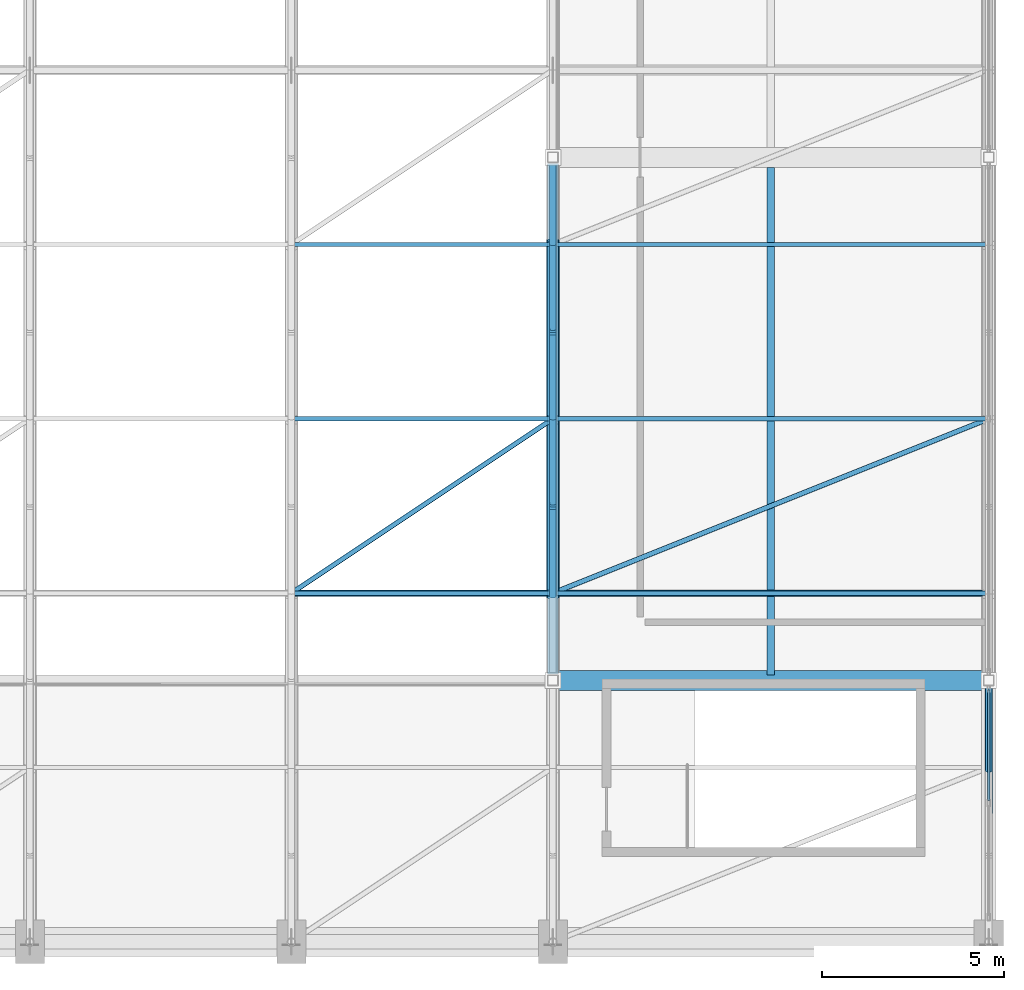
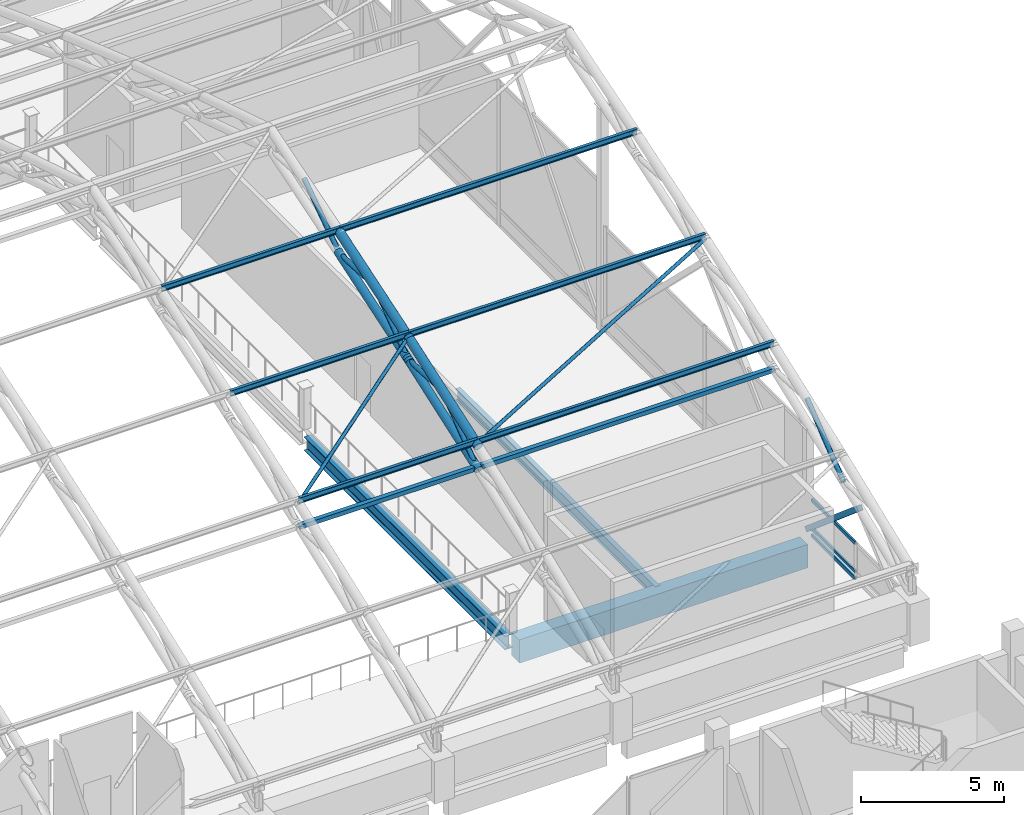
# One storey, part 41 of 116: 24 members, 3 beams, 1 element without a shape of its own.
"""IFC4 building model written with IfcOpenShell, lengths in metres."""

import ifcopenshell
import ifcopenshell.guid

model = None  # the IFC model being written
_history = None  # IfcOwnerHistory: only IFC2X3 demands one
_inside = {}  # id of a spatial element -> (the spatial element, [elements in it])
_under = {}  # id of a project, library or spatial element -> (it, [spatial elements below it])
_declared = {}  # id of a project -> (the project, [libraries it declares])
_typed = {}  # id of a type object -> (the type object, [elements of that type])
_made_of = {}  # id of a material, layer set ... -> (it, [elements and type objects made of it])


def new_model(schema):
    """Start an empty IFC model of exactly this schema.

    Asked for "IFC4X3", IfcOpenShell would pick the latest addendum, in which some entities
    have other attributes; the version numbers below select the first issue.
    IFC2X3 requires an IfcOwnerHistory on every rooted entity: one is made here for all.
    """
    global model, _history
    if schema == "IFC4X3":
        model = ifcopenshell.file(schema_version=(4, 3, 0, 0))
    else:
        model = ifcopenshell.file(schema=schema)
    _inside.clear()
    _under.clear()
    _declared.clear()
    _typed.clear()
    _made_of.clear()
    _history = None
    if model.schema == "IFC2X3":
        org = make("IfcOrganization", Name="unknown")
        user = make(
            "IfcPersonAndOrganization",
            ThePerson=make("IfcPerson", FamilyName="unknown"),
            TheOrganization=org,
        )
        app = make(
            "IfcApplication",
            ApplicationDeveloper=org,
            Version="unknown",
            ApplicationFullName="unknown",
            ApplicationIdentifier="unknown",
        )
        _history = make(
            "IfcOwnerHistory",
            OwningUser=user,
            OwningApplication=app,
            ChangeAction="ADDED",
            CreationDate=0,
        )
    return model


def make(cls, **values):
    """One entity of the class cls with the attributes given. An attribute that is None is left unset."""
    return model.create_entity(
        cls, **{name: value for name, value in values.items() if value is not None}
    )


def rooted(cls, **values):
    """An entity with a GlobalId (a new one), such as an element, a storey or a relation."""
    return make(cls, GlobalId=ifcopenshell.guid.new(), OwnerHistory=_history, **values)


def si_unit(unit_type, name, prefix=None):
    """IfcSIUnit, for example si_unit("LENGTHUNIT", "METRE", prefix="MILLI")."""
    return make("IfcSIUnit", UnitType=unit_type, Prefix=prefix, Name=name)


def assignment(units):
    """IfcUnitAssignment: the units of a project."""
    return None if units is None else make("IfcUnitAssignment", Units=units)


def point(xyz):
    """IfcCartesianPoint."""
    return None if xyz is None else make("IfcCartesianPoint", Coordinates=xyz)


def direction(xyz):
    """IfcDirection."""
    return None if xyz is None else make("IfcDirection", DirectionRatios=xyz)


def frame(location, z_axis=None, x_axis=None):
    """IfcAxis2Placement3D, a coordinate frame: its origin and axes. An axis left out is left unset."""
    return make(
        "IfcAxis2Placement3D",
        Location=point(location),
        Axis=direction(z_axis),
        RefDirection=direction(x_axis),
    )


def frame_2d(location, x_axis=None):
    """IfcAxis2Placement2D, a coordinate frame in the plane: its origin and x axis."""
    return make(
        "IfcAxis2Placement2D", Location=point(location), RefDirection=direction(x_axis)
    )


def origin():
    """The frame at (0, 0, 0) with its axes left unset."""
    return frame((0.0, 0.0, 0.0))


def origin_2d():
    """The frame at (0, 0) in the plane with its x axis left unset."""
    return frame_2d((0.0, 0.0))


def place(relative_to, where):
    """IfcLocalPlacement: puts the frame where relative to a parent placement (None: the world)."""
    return make(
        "IfcLocalPlacement", PlacementRelTo=relative_to, RelativePlacement=where
    )


def context(
    kind, dimensions, precision=None, world=None, true_north=None, identifier=None
):
    """IfcGeometricRepresentationContext, for example the 3D "Model" context."""
    return make(
        "IfcGeometricRepresentationContext",
        ContextIdentifier=identifier,
        ContextType=kind,
        CoordinateSpaceDimension=dimensions,
        Precision=precision,
        WorldCoordinateSystem=world,
        TrueNorth=true_north,
    )


def subcontext(parent, identifier, kind, view, scale=None):
    """IfcGeometricRepresentationSubContext, for example "Body" below "Model"."""
    return make(
        "IfcGeometricRepresentationSubContext",
        ContextIdentifier=identifier,
        ContextType=kind,
        ParentContext=parent,
        TargetScale=scale,
        TargetView=view,
    )


def project(units=None, contexts=None):
    """IfcProject with its units and contexts."""
    return rooted(
        "IfcProject",
        Name="project",
        RepresentationContexts=contexts,
        UnitsInContext=assignment(units),
    )


def spatial(cls, under=None, at=None, **own):
    """A site, building, storey or space (cls), placed at a placement, below another one or the project."""
    s = rooted(cls, ObjectPlacement=at, **own)
    if under is not None:
        _under.setdefault(under.id(), (under, []))[1].append(s)
    return s


def profile(cls, at=None, kind="AREA", **sizes):
    """A parametric profile (cls). Its sizes go by their IFC names, for example OverallWidth=200.0."""
    return make(cls, ProfileType=kind, Position=at, **sizes)


def rectangle(**sizes):
    """IfcRectangleProfileDef."""
    return profile("IfcRectangleProfileDef", **sizes)


def hollow_rectangle(**sizes):
    """IfcRectangleHollowProfileDef."""
    return profile("IfcRectangleHollowProfileDef", **sizes)


def hollow_circle(**sizes):
    """IfcCircleHollowProfileDef."""
    return profile("IfcCircleHollowProfileDef", **sizes)


def i_section(**sizes):
    """IfcIShapeProfileDef."""
    return profile("IfcIShapeProfileDef", **sizes)


def extrude(swept, where, along, depth):
    """IfcExtrudedAreaSolid: the profile swept, set in the frame where, extruded along a direction by depth."""
    return make(
        "IfcExtrudedAreaSolid",
        SweptArea=swept,
        Position=where,
        ExtrudedDirection=direction(along),
        Depth=depth,
    )


def shape(context_of_items, identifier, shape_type, items):
    """IfcShapeRepresentation: the items that make up one representation, for example the "Body"."""
    return make(
        "IfcShapeRepresentation",
        ContextOfItems=context_of_items,
        RepresentationIdentifier=identifier,
        RepresentationType=shape_type,
        Items=items,
    )


def material(Name=None, Category=None):
    """IfcMaterial."""
    return make("IfcMaterial", Name=Name, Category=Category)


def material_profile(
    of_material, cross_section, Name=None, Category=None, Priority=None
):
    """IfcMaterialProfile: a cross section and its material."""
    return make(
        "IfcMaterialProfile",
        Name=Name,
        Material=of_material,
        Profile=cross_section,
        Priority=Priority,
        Category=Category,
    )


def profile_set(profiles, Name=None, composite=None):
    """IfcMaterialProfileSet."""
    return make(
        "IfcMaterialProfileSet",
        Name=Name,
        MaterialProfiles=profiles,
        CompositeProfile=composite,
    )


def made_of(thing, what):
    """Note that an element or type object is made of a material, layer set ...; save() writes the relation."""
    if what is not None:
        _made_of.setdefault(what.id(), (what, []))[1].append(thing)
    return thing


def type_object(cls, material=None, **own):
    """A type object (cls), such as IfcWallType, which elements share."""
    return made_of(rooted(cls, **own), material)


def element(
    cls,
    number,
    at=None,
    inside=None,
    cuts=None,
    type_object=None,
    material=None,
    context=None,
    identifier="Body",
    shape_type=None,
    held_by="IfcProductDefinitionShape",
    body=None,
    shapes=None,
    **own,
):
    """One element of the class cls, such as IfcWall. Its Tag is "e" and its number.

    at: its placement. inside: the storey or other place that contains it. cuts: it is an
    opening in that element (IfcRelVoidsElement). A single representation is given by context,
    identifier, shape_type and body (its items); several are given by shapes. held_by: the class
    of the entity that holds the representations. save() writes the other relations.
    """
    e = rooted(cls, Tag="e%d" % number, ObjectPlacement=at, **own)
    if body is not None:
        shapes = [shape(context, identifier, shape_type, body)]
    if shapes is not None:
        e.Representation = make(held_by, Representations=shapes)
    if inside is not None:
        _inside.setdefault(inside.id(), (inside, []))[1].append(e)
    if cuts is not None:
        rooted(
            "IfcRelVoidsElement", RelatingBuildingElement=cuts, RelatedOpeningElement=e
        )
    if type_object is not None:
        _typed.setdefault(type_object.id(), (type_object, []))[1].append(e)
    return made_of(e, material)


def aggregate(whole, parts):
    """IfcRelAggregates: a whole, such as a stair, and the parts it consists of."""
    return rooted("IfcRelAggregates", RelatingObject=whole, RelatedObjects=parts)


def save(model, path):
    """Write the relations noted so far, then the file.

    IfcRelAggregates (storeys below a building ...), IfcRelContainedInSpatialStructure (elements
    in a storey), IfcRelDefinesByType, IfcRelAssociatesMaterial and IfcRelDeclares: one each for
    every whole, place, type object, material and project.
    """
    for whole, parts in _under.values():
        aggregate(whole, parts)
    for where, things in _inside.values():
        rooted(
            "IfcRelContainedInSpatialStructure",
            RelatedElements=things,
            RelatingStructure=where,
        )
    for kind, things in _typed.values():
        rooted("IfcRelDefinesByType", RelatedObjects=things, RelatingType=kind)
    for what, things in _made_of.values():
        rooted("IfcRelAssociatesMaterial", RelatedObjects=things, RelatingMaterial=what)
    for by, libraries in _declared.values():
        rooted("IfcRelDeclares", RelatingContext=by, RelatedDefinitions=libraries)
    model.write(path)


model = new_model("IFC4")

# Units and contexts
model_context = context("Model", 3, precision=1e-05, world=origin(), true_north=direction((0.0, 1.0)))
body_context = subcontext(model_context, "Body", "Model", "MODEL_VIEW")
ifc_project = project(units=[si_unit("LENGTHUNIT", "METRE"), si_unit("AREAUNIT", "SQUARE_METRE"), si_unit("VOLUMEUNIT", "CUBIC_METRE"), si_unit("PLANEANGLEUNIT", "RADIAN"), si_unit("MASSUNIT", "GRAM", prefix="KILO")], contexts=[model_context])

# Site, building, storey
site_placement = place(None, origin())
site = spatial("IfcSite", under=ifc_project, at=site_placement, CompositionType="ELEMENT")
building_placement = place(site_placement, origin())
building = spatial("IfcBuilding", under=site, at=building_placement, Name="Cendralis Lancet Convention Centre", CompositionType="ELEMENT")
storey_placement = place(building_placement, frame((0.0, 0.0, 15.0)))
storey = spatial("IfcBuildingStorey", under=building, at=storey_placement, Name="L03", CompositionType="ELEMENT", Elevation=15.0)

# Curtain wall, members
ifc_material_1 = material(Name="Anodised bronze architectural aluminium", Category="aluminium")
curtain_wall_type = type_object("IfcCurtainWallType", Name="ARC-CW-PL02", PredefinedType="USERDEFINED", material=ifc_material_1)
curtain_wall_placement = place(storey_placement, origin())
curtain_wall = element("IfcCurtainWall", 1, at=curtain_wall_placement, inside=storey, type_object=curtain_wall_type, Name="L03 Curtain Wall CW-PL2 #141", ObjectType="CURTAIN WALL", PredefinedType="USERDEFINED")
ifc_material_profile_1 = material_profile(ifc_material_1, hollow_rectangle(XDim=0.070068359375, YDim=0.139892578125, WallThickness=0.00390625, at=origin_2d()), Name="AL-TRAN 70x140x4.0")
ifc_profile_set_1 = profile_set([ifc_material_profile_1], Name="Anodised bronze architectural aluminium")
member_type_1 = type_object("IfcMemberType", Name="ARC-CW-TR02", PredefinedType="USERDEFINED", material=ifc_profile_set_1)
member_1_placement = place(storey_placement, frame((208.800048828125, 50.1298828125, 0.070068359375), z_axis=(0.0, -1.0, 0.0), x_axis=(1.0, 0.0, 0.0)))
member_1 = element("IfcMember", 2, at=member_1_placement, type_object=member_type_1, Name="Transom CW2-CW-PL2-L03-141-T0BOT", ObjectType="TRANSOM", PredefinedType="USERDEFINED", context=body_context, shape_type="SweptSolid", body=[
    extrude(hollow_rectangle(XDim=0.070068359375, YDim=0.139892578125, WallThickness=0.00390625, at=origin_2d()), origin(), (0.0, 0.0, 1.0), 3.034912109375),
])
member_2_placement = place(storey_placement, frame((208.800048828125, 50.1298828125, 0.363037109375), z_axis=(0.0, -1.0, 0.0), x_axis=(1.0, 0.0, 0.0)))
member_2 = element("IfcMember", 3, at=member_2_placement, type_object=member_type_1, Name="Transom CW2-CW-PL2-L03-141-T0MID", ObjectType="TRANSOM", PredefinedType="USERDEFINED", context=body_context, shape_type="SweptSolid", body=[
    extrude(hollow_rectangle(XDim=0.070068359375, YDim=0.139892578125, WallThickness=0.00390625, at=origin_2d()), origin(), (0.0, 0.0, 1.0), 3.034912109375),
])
member_3_placement = place(storey_placement, frame((208.800048828125, 50.1298828125, 1.580078125), z_axis=(0.0, -1.0, 0.0), x_axis=(1.0, 0.0, 0.0)))
member_3 = element("IfcMember", 4, at=member_3_placement, type_object=member_type_1, Name="Transom CW2-CW-PL2-L03-141-T0TOP", ObjectType="TRANSOM", PredefinedType="USERDEFINED", context=body_context, shape_type="SweptSolid", body=[
    extrude(hollow_rectangle(XDim=0.070068359375, YDim=0.139892578125, WallThickness=0.00390625, at=origin_2d()), origin(), (0.0, 0.0, 1.0), 3.034912109375),
])
aggregate(curtain_wall, [member_1, member_2, member_3])

# Beams
ifc_material_2 = material(Name="Concrete G40 (C40/50)", Category="concrete")
ifc_material_profile_2 = material_profile(ifc_material_2, rectangle(XDim=0.550048828125, YDim=1.0, at=origin_2d()), Name="RCB 550x1000")
ifc_profile_set_2 = profile_set([ifc_material_profile_2], Name="Concrete G40 (C40/50)")
beam_type_1 = type_object("IfcBeamType", Name="STR-BM-BG05", PredefinedType="BEAM", material=ifc_profile_set_2)
beam_1_placement = place(storey_placement, frame((196.97509765625, 50.39990234375, -0.760009765625), z_axis=(1.0, 0.0, 0.0), x_axis=(0.0, 1.0, 0.0)))
element("IfcBeam", 5, at=beam_1_placement, inside=storey, type_object=beam_type_1, Name="L03 Beam BG05 #1524", PredefinedType="BEAM", context=body_context, shape_type="SweptSolid", body=[
    extrude(rectangle(XDim=0.550048828125, YDim=1.0, at=origin_2d()), origin(), (0.0, 0.0, 1.0), 11.64990234375),
])
ifc_material_3 = material(Name="Steel S355", Category="steel")
ifc_material_profile_3 = material_profile(ifc_material_3, i_section(OverallWidth=0.300048828125, OverallDepth=0.590087890625, WebThickness=0.012939453125, FlangeThickness=0.02490234375, FilletRadius=0.027099609375, at=origin_2d()), Name="HEA 600")
ifc_profile_set_3 = profile_set([ifc_material_profile_3], Name="Steel S355")
beam_type_2 = type_object("IfcBeamType", Name="STR-BM-SG10", PredefinedType="BEAM", material=ifc_profile_set_3)
beam_2_placement = place(storey_placement, frame((196.800048828125, 50.574951171875, -0.554931640625), z_axis=(0.0, 1.0, 0.0), x_axis=(-1.0, 0.0, 0.0)))
element("IfcBeam", 6, at=beam_2_placement, inside=storey, type_object=beam_type_2, Name="L03 Beam SG10 #1543", PredefinedType="BEAM", context=body_context, shape_type="SweptSolid", body=[
    extrude(i_section(OverallWidth=0.300048828125, OverallDepth=0.590087890625, WebThickness=0.012939453125, FlangeThickness=0.02490234375, FilletRadius=0.027099609375, at=origin_2d()), origin(), (0.0, 0.0, 1.0), 14.050048828125),
])

# Members
ifc_material_profile_4 = material_profile(ifc_material_3, hollow_rectangle(XDim=0.219970703125, YDim=0.219970703125, WallThickness=0.012451171875, at=origin_2d()), Name="SHS 220x220x12.5")
ifc_profile_set_4 = profile_set([ifc_material_profile_4], Name="Steel S355")
member_type_2 = type_object("IfcMemberType", Name="STR-BR-GB02", PredefinedType="BRACE", material=ifc_profile_set_4)
member_4_placement = place(storey_placement, frame((208.800048828125, 50.39990234375, 0.199951171875), z_axis=(0.0, -0.762583352591, 0.646889967732), x_axis=(1.0, 0.0, 0.0)))
element("IfcMember", 7, at=member_4_placement, inside=storey, type_object=member_type_2, Name="Plenary Gable Gothic Ogival Tracery Rib GBR2 #072", PredefinedType="BRACE", context=body_context, shape_type="SweptSolid", body=[
    extrude(hollow_rectangle(XDim=0.219970703125, YDim=0.219970703125, WallThickness=0.012451171875, at=origin_2d()), origin(), (0.0, 0.0, 1.0), 4.720703125),
])
ifc_material_profile_5 = material_profile(ifc_material_3, hollow_circle(Radius=0.06982421875, WallThickness=0.00634765625, at=origin_2d()), Name="CHS 139.7x6.3")
ifc_profile_set_5 = profile_set([ifc_material_profile_5], Name="Steel S355")
member_type_3 = type_object("IfcMemberType", Name="STR-BR-RB02", PredefinedType="BRACE", material=ifc_profile_set_5)
member_5_placement = place(storey_placement, frame((189.60009765625, 52.800048828125, 6.538818359375), z_axis=(0.817079386858, 0.544728826592, 0.188816792291), x_axis=(-0.554706707029, 0.832045953765, 0.0)))
element("IfcMember", 8, at=member_5_placement, inside=storey, type_object=member_type_3, Name="Roof Diaphragm Brace RB02 V2-07-02A", PredefinedType="BRACE", context=body_context, shape_type="SweptSolid", body=[
    extrude(hollow_circle(Radius=0.06982421875, WallThickness=0.00634765625, at=origin_2d()), origin(), (0.0, 0.0, 1.0), 8.811767578125),
])
member_6_placement = place(storey_placement, frame((196.800048828125, 52.800048828125, 6.538818359375), z_axis=(0.920876097316, 0.368354185981, 0.127680879785), x_axis=(-0.371393933228, 0.928475388129, 0.0)))
element("IfcMember", 9, at=member_6_placement, inside=storey, type_object=member_type_3, Name="Roof Diaphragm Brace RB02 V2-08-02A", PredefinedType="BRACE", context=body_context, shape_type="SweptSolid", body=[
    extrude(hollow_circle(Radius=0.06982421875, WallThickness=0.00634765625, at=origin_2d()), origin(), (0.0, 0.0, 1.0), 13.031005859375),
])
ifc_material_profile_6 = material_profile(ifc_material_3, hollow_rectangle(XDim=0.179931640625, YDim=0.179931640625, WallThickness=0.010009765625, at=origin_2d()), Name="SHS 180x180x10.0")
ifc_profile_set_6 = profile_set([ifc_material_profile_6], Name="Steel S355")
member_type_4 = type_object("IfcMemberType", Name="STR-BR-ST02", PredefinedType="STRUT", material=ifc_profile_set_6)
member_7_placement = place(storey_placement, frame((189.60009765625, 52.800048828125, 5.555908203125), z_axis=(1.0, 0.0, 0.0), x_axis=(0.0, 1.0, 0.0)))
element("IfcMember", 10, at=member_7_placement, inside=storey, type_object=member_type_4, Name="Arch Tie Strut ST02 V2-07-02", PredefinedType="STRUT", context=body_context, shape_type="SweptSolid", body=[
    extrude(hollow_rectangle(XDim=0.179931640625, YDim=0.179931640625, WallThickness=0.010009765625, at=origin_2d()), origin(), (0.0, 0.0, 1.0), 7.199951171875),
])
member_8_placement = place(storey_placement, frame((196.800048828125, 52.800048828125, 5.555908203125), z_axis=(1.0, 0.0, 0.0), x_axis=(0.0, 1.0, 0.0)))
element("IfcMember", 11, at=member_8_placement, inside=storey, type_object=member_type_4, Name="Arch Tie Strut ST02 V2-08-02", PredefinedType="STRUT", context=body_context, shape_type="SweptSolid", body=[
    extrude(hollow_rectangle(XDim=0.179931640625, YDim=0.179931640625, WallThickness=0.010009765625, at=origin_2d()), origin(), (0.0, 0.0, 1.0), 12.0),
])

# Beam
ifc_material_profile_7 = material_profile(ifc_material_3, i_section(OverallWidth=0.199951171875, OverallDepth=0.5, WebThickness=0.01025390625, FlangeThickness=0.01611328125, FilletRadius=0.02099609375, at=origin_2d()), Name="IPE 500")
ifc_profile_set_7 = profile_set([ifc_material_profile_7], Name="Steel S355")
beam_type_3 = type_object("IfcBeamType", Name="STR-JS-BJ06", PredefinedType="JOIST", material=ifc_profile_set_7)
beam_3_placement = place(storey_placement, frame((202.800048828125, 50.550048828125, -0.510009765625), z_axis=(0.0, 1.0, 0.0), x_axis=(-1.0, 0.0, 0.0)))
element("IfcBeam", 12, at=beam_3_placement, inside=storey, type_object=beam_type_3, Name="L03 Beam BJ06 #1556", PredefinedType="JOIST", context=body_context, shape_type="SweptSolid", body=[
    extrude(i_section(OverallWidth=0.199951171875, OverallDepth=0.5, WebThickness=0.01025390625, FlangeThickness=0.01611328125, FilletRadius=0.02099609375, at=origin_2d()), origin(), (0.0, 0.0, 1.0), 13.974853515625),
])

# Members
ifc_material_profile_8 = material_profile(ifc_material_3, i_section(OverallWidth=0.1201171875, OverallDepth=0.239990234375, WebThickness=0.006103515625, FlangeThickness=0.009765625, FilletRadius=0.014892578125, at=origin_2d()), Name="IPE 240")
ifc_profile_set_8 = profile_set([ifc_material_profile_8], Name="Steel S355")
member_type_5 = type_object("IfcMemberType", Name="STR-PR-PR02", PredefinedType="PURLIN", material=ifc_profile_set_8)
for number, where, z_axis, x_axis, name in (
    (13, (189.60009765625, 52.800048828125, 6.668701171875), (1.0, 0.0, 0.0), (0.0, 1.0, 0.0), "Vault Roof Purlin PR02 V2-07-02"),
    (14, (189.60009765625, 57.60009765625, 8.332763671875), (1.0, 0.0, 0.0), (0.0, 1.0, 0.0), "Vault Roof Purlin PR02 V2-07-03"),
    (15, (189.60009765625, 62.39990234375, 9.896484375), (1.0, 0.0, 0.0), (0.0, 1.0, 0.0), "Vault Roof Purlin PR02 V2-07-04"),
):
    element("IfcMember", number, at=place(storey_placement, frame(where, z_axis=z_axis, x_axis=x_axis)), inside=storey, type_object=member_type_5, Name=name, PredefinedType="PURLIN", context=body_context, shape_type="SweptSolid", body=[
        extrude(i_section(OverallWidth=0.1201171875, OverallDepth=0.239990234375, WebThickness=0.006103515625, FlangeThickness=0.009765625, FilletRadius=0.014892578125, at=origin_2d()), origin(), (0.0, 0.0, 1.0), 7.199951171875),
    ])
for number, where, z_axis, x_axis, name in (
    (16, (196.800048828125, 52.800048828125, 6.668701171875), (1.0, 0.0, 0.0), (0.0, 1.0, 0.0), "Vault Roof Purlin PR02 V2-08-02"),
    (17, (196.800048828125, 57.60009765625, 8.332763671875), (1.0, 0.0, 0.0), (0.0, 1.0, 0.0), "Vault Roof Purlin PR02 V2-08-03"),
    (18, (196.800048828125, 62.39990234375, 9.896484375), (1.0, 0.0, 0.0), (0.0, 1.0, 0.0), "Vault Roof Purlin PR02 V2-08-04"),
):
    element("IfcMember", number, at=place(storey_placement, frame(where, z_axis=z_axis, x_axis=x_axis)), inside=storey, type_object=member_type_5, Name=name, PredefinedType="PURLIN", context=body_context, shape_type="SweptSolid", body=[
        extrude(i_section(OverallWidth=0.1201171875, OverallDepth=0.239990234375, WebThickness=0.006103515625, FlangeThickness=0.009765625, FilletRadius=0.014892578125, at=origin_2d()), origin(), (0.0, 0.0, 1.0), 12.0),
    ])
ifc_material_profile_9 = material_profile(ifc_material_3, hollow_circle(Radius=0.161865234375, WallThickness=0.01416015625, at=origin_2d()), Name="CHS 323.9x14.2")
ifc_profile_set_9 = profile_set([ifc_material_profile_9], Name="Steel S355")
member_type_6 = type_object("IfcMemberType", Name="STR-TR-BC02-INT", PredefinedType="CHORD", material=ifc_profile_set_9)
member_9_placement = place(storey_placement, frame((196.800048828125, 52.68701171875, 5.51611328125), z_axis=(0.0, 0.942788943503, 0.333390173833), x_axis=(-1.0, 0.0, 0.0)))
element("IfcMember", 19, at=member_9_placement, inside=storey, type_object=member_type_6, Name="ROOF TRUSS AT-V2-09 Bottom Chord 02", PredefinedType="CHORD", context=body_context, shape_type="SweptSolid", body=[
    extrude(hollow_circle(Radius=0.161865234375, WallThickness=0.01416015625, at=origin_2d()), origin(), (0.0, 0.0, 1.0), 5.3310546875),
])
member_10_placement = place(storey_placement, frame((196.800048828125, 57.486083984375, 7.215576171875), z_axis=(0.0, 0.948830629051, 0.315785429325), x_axis=(-1.0, 0.0, 0.0)))
element("IfcMember", 20, at=member_10_placement, inside=storey, type_object=member_type_6, Name="ROOF TRUSS AT-V2-09 Bottom Chord 03", PredefinedType="CHORD", context=body_context, shape_type="SweptSolid", body=[
    extrude(hollow_circle(Radius=0.161865234375, WallThickness=0.01416015625, at=origin_2d()), origin(), (0.0, 0.0, 1.0), 5.299072265625),
])
ifc_material_profile_10 = material_profile(ifc_material_3, hollow_circle(Radius=0.177734375, WallThickness=0.01611328125, at=origin_2d()), Name="CHS 355.6x16.0")
ifc_profile_set_10 = profile_set([ifc_material_profile_10], Name="Steel S355")
member_type_7 = type_object("IfcMemberType", Name="STR-TR-TC02-INT", PredefinedType="CHORD", material=ifc_profile_set_10)
member_11_placement = place(storey_placement, frame((196.800048828125, 52.6865234375, 6.49951171875), z_axis=(0.0, 0.944848505706, 0.327507711764), x_axis=(-1.0, 0.0, 0.0)))
element("IfcMember", 21, at=member_11_placement, inside=storey, type_object=member_type_7, Name="ROOF TRUSS AT-V2-09 Top Chord 02", PredefinedType="CHORD", context=body_context, shape_type="SweptSolid", body=[
    extrude(hollow_circle(Radius=0.177734375, WallThickness=0.01611328125, at=origin_2d()), origin(), (0.0, 0.0, 1.0), 5.3203125),
])
member_12_placement = place(storey_placement, frame((196.800048828125, 57.48583984375, 8.16552734375), z_axis=(0.0, 0.950812630265, 0.309766592983), x_axis=(-1.0, 0.0, 0.0)))
element("IfcMember", 22, at=member_12_placement, inside=storey, type_object=member_type_7, Name="ROOF TRUSS AT-V2-09 Top Chord 03", PredefinedType="CHORD", context=body_context, shape_type="SweptSolid", body=[
    extrude(hollow_circle(Radius=0.177734375, WallThickness=0.01611328125, at=origin_2d()), origin(), (0.0, 0.0, 1.0), 5.288330078125),
])
ifc_material_profile_11 = material_profile(ifc_material_3, hollow_circle(Radius=0.096923828125, WallThickness=0.008056640625, at=origin_2d()), Name="CHS 193.7x8.0")
ifc_profile_set_11 = profile_set([ifc_material_profile_11], Name="Steel S355")
member_type_8 = type_object("IfcMemberType", Name="STR-TR-WD02", PredefinedType="BRACE", material=ifc_profile_set_11)
member_13_placement = place(storey_placement, frame((208.800048828125, 47.921630859375, 3.67578125), z_axis=(0.0, 0.782673873306, 0.62243201078), x_axis=(-1.0, 0.0, 0.0)))
element("IfcMember", 23, at=member_13_placement, inside=storey, type_object=member_type_8, Name="ROOF TRUSS AT-V2-10 Warren Web 01-0", PredefinedType="BRACE", context=body_context, shape_type="SweptSolid", body=[
    extrude(hollow_circle(Radius=0.096923828125, WallThickness=0.008056640625, at=origin_2d()), origin(), (0.0, 0.0, 1.0), 3.2666015625),
])
ifc_material_profile_12 = material_profile(ifc_material_3, hollow_circle(Radius=0.096923828125, WallThickness=0.008056640625, at=origin_2d()), Name="CHS 193.7x8.0")
ifc_profile_set_12 = profile_set([ifc_material_profile_12], Name="Steel S355")
member_type_9 = type_object("IfcMemberType", Name="STR-TR-WD02-INT", PredefinedType="BRACE", material=ifc_profile_set_12)
member_14_placement = place(storey_placement, frame((196.800048828125, 52.72021484375, 5.49560546875), z_axis=(0.0, 0.797620051478, 0.603160222064), x_axis=(-1.0, 0.0, 0.0)))
element("IfcMember", 24, at=member_14_placement, inside=storey, type_object=member_type_9, Name="ROOF TRUSS AT-V2-09 Warren Web 02-0", PredefinedType="BRACE", context=body_context, shape_type="SweptSolid", body=[
    extrude(hollow_circle(Radius=0.096923828125, WallThickness=0.008056640625, at=origin_2d()), origin(), (0.0, 0.0, 1.0), 3.208984375),
])
member_15_placement = place(storey_placement, frame((196.800048828125, 55.10009765625, 7.375732421875), z_axis=(0.0, 0.998805327149, -0.048866332561), x_axis=(-1.0, 0.0, 0.0)))
element("IfcMember", 25, at=member_15_placement, inside=storey, type_object=member_type_9, Name="ROOF TRUSS AT-V2-09 Warren Web 02-1", PredefinedType="BRACE", context=body_context, shape_type="SweptSolid", body=[
    extrude(hollow_circle(Radius=0.096923828125, WallThickness=0.008056640625, at=origin_2d()), origin(), (0.0, 0.0, 1.0), 2.60302734375),
])
member_16_placement = place(storey_placement, frame((196.800048828125, 57.518798828125, 7.195068359375), z_axis=(0.0, 0.811035686786, 0.584996679273), x_axis=(-1.0, 0.0, 0.0)))
element("IfcMember", 26, at=member_16_placement, inside=storey, type_object=member_type_9, Name="ROOF TRUSS AT-V2-09 Warren Web 03-0", PredefinedType="BRACE", context=body_context, shape_type="SweptSolid", body=[
    extrude(hollow_circle(Radius=0.096923828125, WallThickness=0.008056640625, at=origin_2d()), origin(), (0.0, 0.0, 1.0), 3.1591796875),
])
member_17_placement = place(storey_placement, frame((196.800048828125, 59.900146484375, 8.990234375), z_axis=(0.0, 0.998447632237, -0.055698524939), x_axis=(-1.0, 0.0, 0.0)))
element("IfcMember", 27, at=member_17_placement, inside=storey, type_object=member_type_9, Name="ROOF TRUSS AT-V2-09 Warren Web 03-1", PredefinedType="BRACE", context=body_context, shape_type="SweptSolid", body=[
    extrude(hollow_circle(Radius=0.096923828125, WallThickness=0.008056640625, at=origin_2d()), origin(), (0.0, 0.0, 1.0), 2.603759765625),
])
member_18_placement = place(storey_placement, frame((196.800048828125, 62.317626953125, 8.794189453125), z_axis=(0.0, 0.822876843509, 0.56821976419), x_axis=(-1.0, 0.0, 0.0)))
element("IfcMember", 28, at=member_18_placement, inside=storey, type_object=member_type_9, Name="ROOF TRUSS AT-V2-09 Warren Web 04-0", PredefinedType="BRACE", context=body_context, shape_type="SweptSolid", body=[
    extrude(hollow_circle(Radius=0.096923828125, WallThickness=0.008056640625, at=origin_2d()), origin(), (0.0, 0.0, 1.0), 3.11669921875),
])

save(model, "model.ifc")
